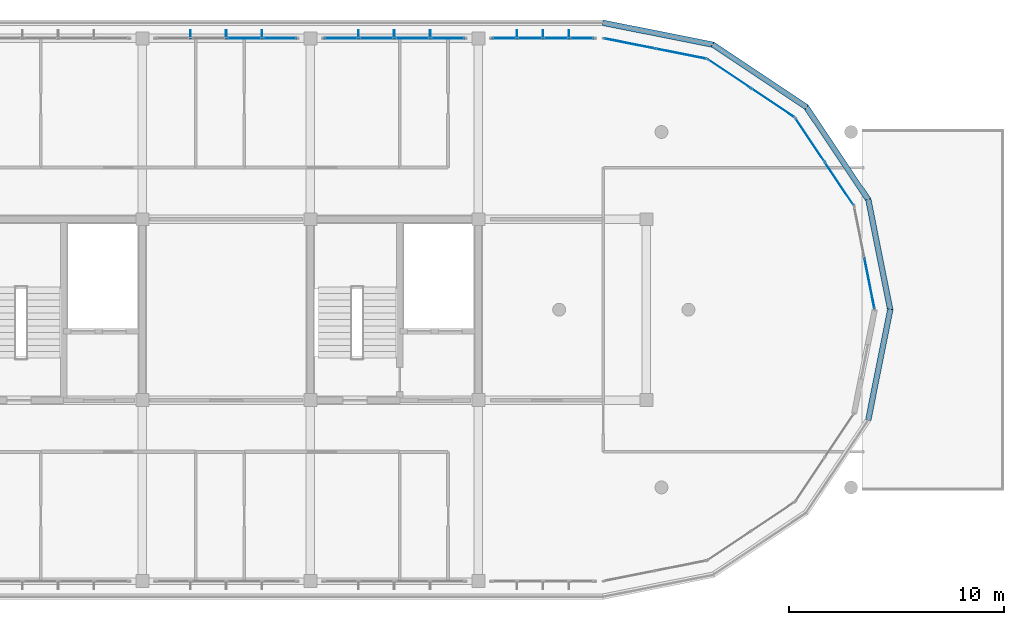
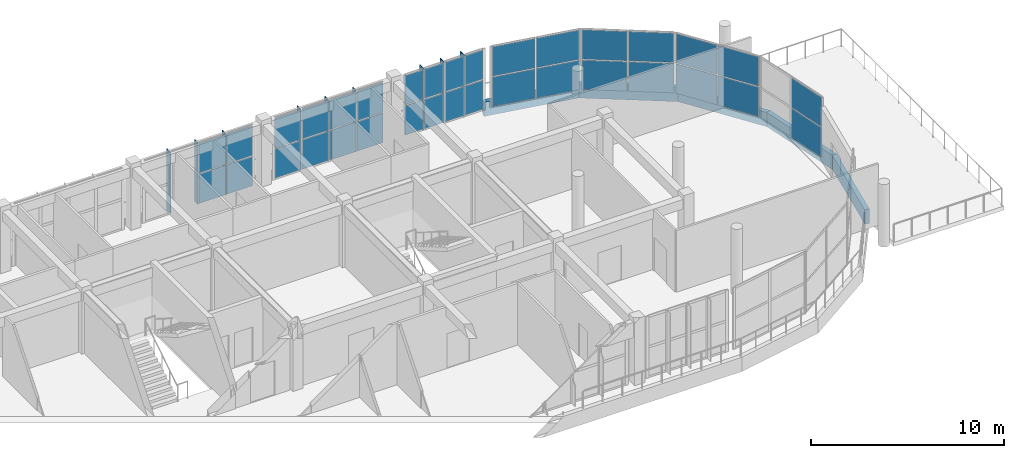
# One storey, part 40 of 50: 48 plates, 7 elements without a shape of their own.
"""IFC4 building model written with IfcOpenShell, lengths in metres."""

from ifc_helpers import new_model, si_unit, direction, frame, origin, origin_2d, place, context, subcontext, project, spatial, polyline, rectangle, outline, extrude, material, layer, layer_set, type_object, element, aggregate, save


model = new_model("IFC4")

# Units and contexts
model_context = context("Model", 3, precision=1e-05, world=origin(), true_north=direction((0.0, 1.0)))
body_context = subcontext(model_context, "Body", "Model", "MODEL_VIEW")
ifc_project = project(units=[si_unit("LENGTHUNIT", "METRE"), si_unit("AREAUNIT", "SQUARE_METRE"), si_unit("VOLUMEUNIT", "CUBIC_METRE"), si_unit("PLANEANGLEUNIT", "RADIAN"), si_unit("MASSUNIT", "GRAM", prefix="KILO")], contexts=[model_context])

# Site, building, storey
site_placement = place(None, origin())
site = spatial("IfcSite", under=ifc_project, at=site_placement, CompositionType="ELEMENT")
building_placement = place(site_placement, origin())
building = spatial("IfcBuilding", under=site, at=building_placement, Name="Zizhar Promenade General Hospital", CompositionType="ELEMENT")
storey_placement = place(building_placement, frame((0.0, 0.0, 30.60009765625)))
storey = spatial("IfcBuildingStorey", under=building, at=storey_placement, Name="L07", CompositionType="ELEMENT", Elevation=30.60009765625)

# Curtain wall, plates
ifc_material_1 = material(Name="Anodised aluminium 6063-T6 and low-E glass", Category="aluminium")
ifc_layer_1 = layer(ifc_material_1, 0.159912109375)
ifc_layer_set_1 = layer_set([ifc_layer_1], Name="Anodised aluminium 6063-T6 and low-E glass")
curtain_wall_type_1 = type_object("IfcCurtainWallType", Name="CW-WARD-ARC", PredefinedType="NOTDEFINED", material=ifc_layer_set_1)
curtain_wall_1_placement = place(storey_placement, origin())
curtain_wall_1 = element("IfcCurtainWall", 1, at=curtain_wall_1_placement, inside=storey, type_object=curtain_wall_type_1, Name="Ward Semicircular End Glazing L07-05", PredefinedType="NOTDEFINED")
ifc_material_2 = material(Name="Low-E solar-control glass", Category="glass")
ifc_layer_2 = layer(ifc_material_2, 0.031982421875)
ifc_layer_set_2 = layer_set([ifc_layer_2], Name="Low-E solar-control glass")
plate_type_1 = type_object("IfcPlateType", Name="CWP-GLZ-32", PredefinedType="CURTAIN_PANEL", material=ifc_layer_set_2)
plate_1_placement = place(storey_placement, frame((119.557373046875, 13.820068359375, 0.06005859375), z_axis=(0.0, 0.0, 1.0), x_axis=(0.195087259275, -0.980785889615, 0.0)))
plate_1 = element("IfcPlate", 2, at=plate_1_placement, type_object=plate_type_1, Name="CW-12 panel 2.1", PredefinedType="CURTAIN_PANEL", context=body_context, shape_type="SweptSolid", body=[
    extrude(rectangle(XDim=2.3681640625, YDim=0.031982421875, at=origin_2d()), origin(), (0.0, 0.0, 1.0), 1.860107421875),
])
plate_2_placement = place(storey_placement, frame((119.557373046875, 13.820068359375, 1.97998046875), z_axis=(0.0, 0.0, 1.0), x_axis=(0.195087259275, -0.980785889615, 0.0)))
plate_2 = element("IfcPlate", 3, at=plate_2_placement, type_object=plate_type_1, Name="CW-12 panel 2.2", PredefinedType="CURTAIN_PANEL", context=body_context, shape_type="SweptSolid", body=[
    extrude(rectangle(XDim=2.3681640625, YDim=0.031982421875, at=origin_2d()), origin(), (0.0, 0.0, 1.0), 1.860107421875),
])
aggregate(curtain_wall_1, [plate_1, plate_2])

curtain_wall_2_placement = place(storey_placement, origin())
curtain_wall_2 = element("IfcCurtainWall", 4, at=curtain_wall_2_placement, inside=storey, type_object=curtain_wall_type_1, Name="Ward Semicircular End Glazing L07-06", PredefinedType="NOTDEFINED")
plate_3_placement = place(storey_placement, frame((116.80078125, 20.47509765625, 0.06005859375), z_axis=(0.0, 0.0, 1.0), x_axis=(0.555582352095, -0.831461514468, 0.0)))
plate_3 = element("IfcPlate", 5, at=plate_3_placement, type_object=plate_type_1, Name="CW-12 panel 1.1", PredefinedType="CURTAIN_PANEL", context=body_context, shape_type="SweptSolid", body=[
    extrude(rectangle(XDim=2.3681640625, YDim=0.031982421875, at=origin_2d()), origin(), (0.0, 0.0, 1.0), 1.860107421875),
])
plate_4_placement = place(storey_placement, frame((116.80078125, 20.47509765625, 1.97998046875), z_axis=(0.0, 0.0, 1.0), x_axis=(0.555582352095, -0.831461514468, 0.0)))
plate_4 = element("IfcPlate", 6, at=plate_4_placement, type_object=plate_type_1, Name="CW-12 panel 1.2", PredefinedType="CURTAIN_PANEL", context=body_context, shape_type="SweptSolid", body=[
    extrude(rectangle(XDim=2.3681640625, YDim=0.031982421875, at=origin_2d()), origin(), (0.0, 0.0, 1.0), 1.860107421875),
])
plate_5_placement = place(storey_placement, frame((118.149658203125, 18.456298828125, 0.06005859375), z_axis=(0.0, 0.0, 1.0), x_axis=(0.555582352095, -0.831461514468, 0.0)))
plate_5 = element("IfcPlate", 7, at=plate_5_placement, type_object=plate_type_1, Name="CW-12 panel 2.1", PredefinedType="CURTAIN_PANEL", context=body_context, shape_type="SweptSolid", body=[
    extrude(rectangle(XDim=2.3681640625, YDim=0.031982421875, at=origin_2d()), origin(), (0.0, 0.0, 1.0), 1.860107421875),
])
plate_6_placement = place(storey_placement, frame((118.149658203125, 18.456298828125, 1.97998046875), z_axis=(0.0, 0.0, 1.0), x_axis=(0.555582352095, -0.831461514468, 0.0)))
plate_6 = element("IfcPlate", 8, at=plate_6_placement, type_object=plate_type_1, Name="CW-12 panel 2.2", PredefinedType="CURTAIN_PANEL", context=body_context, shape_type="SweptSolid", body=[
    extrude(rectangle(XDim=2.3681640625, YDim=0.031982421875, at=origin_2d()), origin(), (0.0, 0.0, 1.0), 1.860107421875),
])
aggregate(curtain_wall_2, [plate_3, plate_4, plate_5, plate_6])

curtain_wall_3_placement = place(storey_placement, origin())
curtain_wall_3 = element("IfcCurtainWall", 9, at=curtain_wall_3_placement, inside=storey, type_object=curtain_wall_type_1, Name="Ward Semicircular End Glazing L07-07", PredefinedType="NOTDEFINED")
plate_7_placement = place(storey_placement, frame((113.05615234375, 23.5498046875, 0.06005859375), z_axis=(0.0, 0.0, 1.0), x_axis=(0.831461514468, -0.555582352095, 0.0)))
plate_7 = element("IfcPlate", 10, at=plate_7_placement, type_object=plate_type_1, Name="CW-12 panel 1.1", PredefinedType="CURTAIN_PANEL", context=body_context, shape_type="SweptSolid", body=[
    extrude(rectangle(XDim=2.3681640625, YDim=0.031982421875, at=origin_2d()), origin(), (0.0, 0.0, 1.0), 1.860107421875),
])
plate_8_placement = place(storey_placement, frame((113.05615234375, 23.5498046875, 1.97998046875), z_axis=(0.0, 0.0, 1.0), x_axis=(0.831461514468, -0.555582352095, 0.0)))
plate_8 = element("IfcPlate", 11, at=plate_8_placement, type_object=plate_type_1, Name="CW-12 panel 1.2", PredefinedType="CURTAIN_PANEL", context=body_context, shape_type="SweptSolid", body=[
    extrude(rectangle(XDim=2.3681640625, YDim=0.031982421875, at=origin_2d()), origin(), (0.0, 0.0, 1.0), 1.860107421875),
])
plate_9_placement = place(storey_placement, frame((115.0751953125, 22.20068359375, 0.06005859375), z_axis=(0.0, 0.0, 1.0), x_axis=(0.831461514468, -0.555582352095, 0.0)))
plate_9 = element("IfcPlate", 12, at=plate_9_placement, type_object=plate_type_1, Name="CW-12 panel 2.1", PredefinedType="CURTAIN_PANEL", context=body_context, shape_type="SweptSolid", body=[
    extrude(rectangle(XDim=2.3681640625, YDim=0.031982421875, at=origin_2d()), origin(), (0.0, 0.0, 1.0), 1.860107421875),
])
plate_10_placement = place(storey_placement, frame((115.0751953125, 22.20068359375, 1.97998046875), z_axis=(0.0, 0.0, 1.0), x_axis=(0.831461514468, -0.555582352095, 0.0)))
plate_10 = element("IfcPlate", 13, at=plate_10_placement, type_object=plate_type_1, Name="CW-12 panel 2.2", PredefinedType="CURTAIN_PANEL", context=body_context, shape_type="SweptSolid", body=[
    extrude(rectangle(XDim=2.3681640625, YDim=0.031982421875, at=origin_2d()), origin(), (0.0, 0.0, 1.0), 1.860107421875),
])
aggregate(curtain_wall_3, [plate_7, plate_8, plate_9, plate_10])

curtain_wall_4_placement = place(storey_placement, origin())
curtain_wall_4 = element("IfcCurtainWall", 14, at=curtain_wall_4_placement, inside=storey, type_object=curtain_wall_type_1, Name="Ward Semicircular End Glazing L07-08", PredefinedType="NOTDEFINED")
plate_11_placement = place(storey_placement, frame((108.420166015625, 24.957275390625, 0.06005859375), z_axis=(0.0, 0.0, 1.0), x_axis=(0.980785889615, -0.195087259275, 0.0)))
plate_11 = element("IfcPlate", 15, at=plate_11_placement, type_object=plate_type_1, Name="CW-12 panel 1.1", PredefinedType="CURTAIN_PANEL", context=body_context, shape_type="SweptSolid", body=[
    extrude(rectangle(XDim=2.3681640625, YDim=0.031982421875, at=origin_2d()), origin(), (0.0, 0.0, 1.0), 1.860107421875),
])
plate_12_placement = place(storey_placement, frame((108.420166015625, 24.957275390625, 1.97998046875), z_axis=(0.0, 0.0, 1.0), x_axis=(0.980785889615, -0.195087259275, 0.0)))
plate_12 = element("IfcPlate", 16, at=plate_12_placement, type_object=plate_type_1, Name="CW-12 panel 1.2", PredefinedType="CURTAIN_PANEL", context=body_context, shape_type="SweptSolid", body=[
    extrude(rectangle(XDim=2.3681640625, YDim=0.031982421875, at=origin_2d()), origin(), (0.0, 0.0, 1.0), 1.860107421875),
])
plate_13_placement = place(storey_placement, frame((110.8017578125, 24.483642578125, 0.06005859375), z_axis=(0.0, 0.0, 1.0), x_axis=(0.980785889615, -0.195087259275, 0.0)))
plate_13 = element("IfcPlate", 17, at=plate_13_placement, type_object=plate_type_1, Name="CW-12 panel 2.1", PredefinedType="CURTAIN_PANEL", context=body_context, shape_type="SweptSolid", body=[
    extrude(rectangle(XDim=2.3681640625, YDim=0.031982421875, at=origin_2d()), origin(), (0.0, 0.0, 1.0), 1.860107421875),
])
plate_14_placement = place(storey_placement, frame((110.8017578125, 24.483642578125, 1.97998046875), z_axis=(0.0, 0.0, 1.0), x_axis=(0.980785889615, -0.195087259275, 0.0)))
plate_14 = element("IfcPlate", 18, at=plate_14_placement, type_object=plate_type_1, Name="CW-12 panel 2.2", PredefinedType="CURTAIN_PANEL", context=body_context, shape_type="SweptSolid", body=[
    extrude(rectangle(XDim=2.3681640625, YDim=0.031982421875, at=origin_2d()), origin(), (0.0, 0.0, 1.0), 1.860107421875),
])
aggregate(curtain_wall_4, [plate_11, plate_12, plate_13, plate_14])

ifc_material_3 = material(Name="Anodised aluminium 6063-T6 and low-E glass", Category="aluminium")
ifc_layer_3 = layer(ifc_material_3, 0.159912109375)
ifc_layer_set_3 = layer_set([ifc_layer_3], Name="Anodised aluminium 6063-T6 and low-E glass")
curtain_wall_type_2 = type_object("IfcCurtainWallType", Name="CW-WARD-RIB", PredefinedType="NOTDEFINED", material=ifc_layer_set_3)
curtain_wall_5_placement = place(storey_placement, origin())
curtain_wall_5 = element("IfcCurtainWall", 19, at=curtain_wall_5_placement, inside=storey, type_object=curtain_wall_type_2, Name="Ward Ribbon Curtain Wall L07-8-6", PredefinedType="NOTDEFINED")
plate_15_placement = place(storey_placement, frame((90.530029296875, 25.199951171875, 0.06005859375), z_axis=(0.0, 0.0, 1.0), x_axis=(1.0, 0.0, 0.0)))
plate_15 = element("IfcPlate", 20, at=plate_15_placement, type_object=plate_type_1, Name="CW-13 panel 3.1", PredefinedType="CURTAIN_PANEL", context=body_context, shape_type="SweptSolid", body=[
    extrude(rectangle(XDim=1.580078125, YDim=0.031982421875, at=origin_2d()), origin(), (0.0, 0.0, 1.0), 1.860107421875),
])
plate_16_placement = place(storey_placement, frame((90.530029296875, 25.199951171875, 1.97998046875), z_axis=(0.0, 0.0, 1.0), x_axis=(1.0, 0.0, 0.0)))
plate_16 = element("IfcPlate", 21, at=plate_16_placement, type_object=plate_type_1, Name="CW-13 panel 3.2", PredefinedType="CURTAIN_PANEL", context=body_context, shape_type="SweptSolid", body=[
    extrude(rectangle(XDim=1.580078125, YDim=0.031982421875, at=origin_2d()), origin(), (0.0, 0.0, 1.0), 1.860107421875),
])
plate_17_placement = place(storey_placement, frame((92.169921875, 25.199951171875, 0.06005859375), z_axis=(0.0, 0.0, 1.0), x_axis=(1.0, 0.0, 0.0)))
plate_17 = element("IfcPlate", 22, at=plate_17_placement, type_object=plate_type_1, Name="CW-13 panel 4.1", PredefinedType="CURTAIN_PANEL", context=body_context, shape_type="SweptSolid", body=[
    extrude(rectangle(XDim=1.5400390625, YDim=0.031982421875, at=origin_2d()), origin(), (0.0, 0.0, 1.0), 1.860107421875),
])
plate_18_placement = place(storey_placement, frame((92.169921875, 25.199951171875, 1.97998046875), z_axis=(0.0, 0.0, 1.0), x_axis=(1.0, 0.0, 0.0)))
plate_18 = element("IfcPlate", 23, at=plate_18_placement, type_object=plate_type_1, Name="CW-13 panel 4.2", PredefinedType="CURTAIN_PANEL", context=body_context, shape_type="SweptSolid", body=[
    extrude(rectangle(XDim=1.5400390625, YDim=0.031982421875, at=origin_2d()), origin(), (0.0, 0.0, 1.0), 1.860107421875),
])
aggregate(curtain_wall_5, [plate_15, plate_16, plate_17, plate_18])

curtain_wall_6_placement = place(storey_placement, origin())
curtain_wall_6 = element("IfcCurtainWall", 24, at=curtain_wall_6_placement, inside=storey, type_object=curtain_wall_type_2, Name="Ward Ribbon Curtain Wall L07-8-7", PredefinedType="NOTDEFINED")
plate_19_placement = place(storey_placement, frame((95.030029296875, 25.199951171875, 0.06005859375), z_axis=(0.0, 0.0, 1.0), x_axis=(1.0, 0.0, 0.0)))
plate_19 = element("IfcPlate", 25, at=plate_19_placement, type_object=plate_type_1, Name="CW-13 panel 1.1", PredefinedType="CURTAIN_PANEL", context=body_context, shape_type="SweptSolid", body=[
    extrude(rectangle(XDim=1.5400390625, YDim=0.031982421875, at=origin_2d()), origin(), (0.0, 0.0, 1.0), 1.860107421875),
])
plate_20_placement = place(storey_placement, frame((95.030029296875, 25.199951171875, 1.97998046875), z_axis=(0.0, 0.0, 1.0), x_axis=(1.0, 0.0, 0.0)))
plate_20 = element("IfcPlate", 26, at=plate_20_placement, type_object=plate_type_1, Name="CW-13 panel 1.2", PredefinedType="CURTAIN_PANEL", context=body_context, shape_type="SweptSolid", body=[
    extrude(rectangle(XDim=1.5400390625, YDim=0.031982421875, at=origin_2d()), origin(), (0.0, 0.0, 1.0), 1.860107421875),
])
plate_21_placement = place(storey_placement, frame((96.669921875, 25.199951171875, 0.06005859375), z_axis=(0.0, 0.0, 1.0), x_axis=(1.0, 0.0, 0.0)))
plate_21 = element("IfcPlate", 27, at=plate_21_placement, type_object=plate_type_1, Name="CW-13 panel 2.1", PredefinedType="CURTAIN_PANEL", context=body_context, shape_type="SweptSolid", body=[
    extrude(rectangle(XDim=1.580078125, YDim=0.031982421875, at=origin_2d()), origin(), (0.0, 0.0, 1.0), 1.860107421875),
])
plate_22_placement = place(storey_placement, frame((96.669921875, 25.199951171875, 1.97998046875), z_axis=(0.0, 0.0, 1.0), x_axis=(1.0, 0.0, 0.0)))
plate_22 = element("IfcPlate", 28, at=plate_22_placement, type_object=plate_type_1, Name="CW-13 panel 2.2", PredefinedType="CURTAIN_PANEL", context=body_context, shape_type="SweptSolid", body=[
    extrude(rectangle(XDim=1.580078125, YDim=0.031982421875, at=origin_2d()), origin(), (0.0, 0.0, 1.0), 1.860107421875),
])
plate_23_placement = place(storey_placement, frame((98.330078125, 25.199951171875, 0.06005859375), z_axis=(0.0, 0.0, 1.0), x_axis=(1.0, 0.0, 0.0)))
plate_23 = element("IfcPlate", 29, at=plate_23_placement, type_object=plate_type_1, Name="CW-13 panel 3.1", PredefinedType="CURTAIN_PANEL", context=body_context, shape_type="SweptSolid", body=[
    extrude(rectangle(XDim=1.580078125, YDim=0.031982421875, at=origin_2d()), origin(), (0.0, 0.0, 1.0), 1.860107421875),
])
plate_24_placement = place(storey_placement, frame((98.330078125, 25.199951171875, 1.97998046875), z_axis=(0.0, 0.0, 1.0), x_axis=(1.0, 0.0, 0.0)))
plate_24 = element("IfcPlate", 30, at=plate_24_placement, type_object=plate_type_1, Name="CW-13 panel 3.2", PredefinedType="CURTAIN_PANEL", context=body_context, shape_type="SweptSolid", body=[
    extrude(rectangle(XDim=1.580078125, YDim=0.031982421875, at=origin_2d()), origin(), (0.0, 0.0, 1.0), 1.860107421875),
])
plate_25_placement = place(storey_placement, frame((99.969970703125, 25.199951171875, 0.06005859375), z_axis=(0.0, 0.0, 1.0), x_axis=(1.0, 0.0, 0.0)))
plate_25 = element("IfcPlate", 31, at=plate_25_placement, type_object=plate_type_1, Name="CW-13 panel 4.1", PredefinedType="CURTAIN_PANEL", context=body_context, shape_type="SweptSolid", body=[
    extrude(rectangle(XDim=1.5400390625, YDim=0.031982421875, at=origin_2d()), origin(), (0.0, 0.0, 1.0), 1.860107421875),
])
plate_26_placement = place(storey_placement, frame((99.969970703125, 25.199951171875, 1.97998046875), z_axis=(0.0, 0.0, 1.0), x_axis=(1.0, 0.0, 0.0)))
plate_26 = element("IfcPlate", 32, at=plate_26_placement, type_object=plate_type_1, Name="CW-13 panel 4.2", PredefinedType="CURTAIN_PANEL", context=body_context, shape_type="SweptSolid", body=[
    extrude(rectangle(XDim=1.5400390625, YDim=0.031982421875, at=origin_2d()), origin(), (0.0, 0.0, 1.0), 1.860107421875),
])
aggregate(curtain_wall_6, [plate_19, plate_20, plate_21, plate_22, plate_23, plate_24, plate_25, plate_26])

curtain_wall_7_placement = place(storey_placement, origin())
curtain_wall_7 = element("IfcCurtainWall", 33, at=curtain_wall_7_placement, inside=storey, type_object=curtain_wall_type_2, Name="Ward Ribbon Curtain Wall L07-8-8", PredefinedType="NOTDEFINED")
plate_27_placement = place(storey_placement, frame((102.60498046875, 25.199951171875, 0.06005859375), z_axis=(0.0, 0.0, 1.0), x_axis=(1.0, 0.0, 0.0)))
plate_27 = element("IfcPlate", 34, at=plate_27_placement, type_object=plate_type_1, Name="CW-13 panel 1.1", PredefinedType="CURTAIN_PANEL", context=body_context, shape_type="SweptSolid", body=[
    extrude(rectangle(XDim=1.090087890625, YDim=0.031982421875, at=origin_2d()), origin(), (0.0, 0.0, 1.0), 1.860107421875),
])
plate_28_placement = place(storey_placement, frame((102.60498046875, 25.199951171875, 1.97998046875), z_axis=(0.0, 0.0, 1.0), x_axis=(1.0, 0.0, 0.0)))
plate_28 = element("IfcPlate", 35, at=plate_28_placement, type_object=plate_type_1, Name="CW-13 panel 1.2", PredefinedType="CURTAIN_PANEL", context=body_context, shape_type="SweptSolid", body=[
    extrude(rectangle(XDim=1.090087890625, YDim=0.031982421875, at=origin_2d()), origin(), (0.0, 0.0, 1.0), 1.860107421875),
])
plate_29_placement = place(storey_placement, frame((103.794921875, 25.199951171875, 0.06005859375), z_axis=(0.0, 0.0, 1.0), x_axis=(1.0, 0.0, 0.0)))
plate_29 = element("IfcPlate", 36, at=plate_29_placement, type_object=plate_type_1, Name="CW-13 panel 2.1", PredefinedType="CURTAIN_PANEL", context=body_context, shape_type="SweptSolid", body=[
    extrude(rectangle(XDim=1.1298828125, YDim=0.031982421875, at=origin_2d()), origin(), (0.0, 0.0, 1.0), 1.860107421875),
])
plate_30_placement = place(storey_placement, frame((103.794921875, 25.199951171875, 1.97998046875), z_axis=(0.0, 0.0, 1.0), x_axis=(1.0, 0.0, 0.0)))
plate_30 = element("IfcPlate", 37, at=plate_30_placement, type_object=plate_type_1, Name="CW-13 panel 2.2", PredefinedType="CURTAIN_PANEL", context=body_context, shape_type="SweptSolid", body=[
    extrude(rectangle(XDim=1.1298828125, YDim=0.031982421875, at=origin_2d()), origin(), (0.0, 0.0, 1.0), 1.860107421875),
])
plate_31_placement = place(storey_placement, frame((105.0048828125, 25.199951171875, 0.06005859375), z_axis=(0.0, 0.0, 1.0), x_axis=(1.0, 0.0, 0.0)))
plate_31 = element("IfcPlate", 38, at=plate_31_placement, type_object=plate_type_1, Name="CW-13 panel 3.1", PredefinedType="CURTAIN_PANEL", context=body_context, shape_type="SweptSolid", body=[
    extrude(rectangle(XDim=1.1298828125, YDim=0.031982421875, at=origin_2d()), origin(), (0.0, 0.0, 1.0), 1.860107421875),
])
plate_32_placement = place(storey_placement, frame((105.0048828125, 25.199951171875, 1.97998046875), z_axis=(0.0, 0.0, 1.0), x_axis=(1.0, 0.0, 0.0)))
plate_32 = element("IfcPlate", 39, at=plate_32_placement, type_object=plate_type_1, Name="CW-13 panel 3.2", PredefinedType="CURTAIN_PANEL", context=body_context, shape_type="SweptSolid", body=[
    extrude(rectangle(XDim=1.1298828125, YDim=0.031982421875, at=origin_2d()), origin(), (0.0, 0.0, 1.0), 1.860107421875),
])
plate_33_placement = place(storey_placement, frame((106.195068359375, 25.199951171875, 0.06005859375), z_axis=(0.0, 0.0, 1.0), x_axis=(1.0, 0.0, 0.0)))
plate_33 = element("IfcPlate", 40, at=plate_33_placement, type_object=plate_type_1, Name="CW-13 panel 4.1", PredefinedType="CURTAIN_PANEL", context=body_context, shape_type="SweptSolid", body=[
    extrude(rectangle(XDim=1.090087890625, YDim=0.031982421875, at=origin_2d()), origin(), (0.0, 0.0, 1.0), 1.860107421875),
])
plate_34_placement = place(storey_placement, frame((106.195068359375, 25.199951171875, 1.97998046875), z_axis=(0.0, 0.0, 1.0), x_axis=(1.0, 0.0, 0.0)))
plate_34 = element("IfcPlate", 41, at=plate_34_placement, type_object=plate_type_1, Name="CW-13 panel 4.2", PredefinedType="CURTAIN_PANEL", context=body_context, shape_type="SweptSolid", body=[
    extrude(rectangle(XDim=1.090087890625, YDim=0.031982421875, at=origin_2d()), origin(), (0.0, 0.0, 1.0), 1.860107421875),
])
aggregate(curtain_wall_7, [plate_27, plate_28, plate_29, plate_30, plate_31, plate_32, plate_33, plate_34])

# Plates
ifc_material_4 = material(Name="Anodised aluminium 6063-T6", Category="aluminium")
ifc_layer_4 = layer(ifc_material_4, 0.035888671875)
ifc_layer_set_4 = layer_set([ifc_layer_4], Name="Anodised aluminium 6063-T6")
plate_type_2 = type_object("IfcPlateType", Name="FIN-ALU-380", PredefinedType="USERDEFINED", material=ifc_layer_set_4)
plate_35_placement = place(storey_placement, origin())
element("IfcPlate", 42, at=plate_35_placement, inside=storey, type_object=plate_type_2, Name="Ward Ribbon Curtain Wall L07-8-6 Solar Fin 1", ObjectType="SOLAR_SHADE", PredefinedType="USERDEFINED", context=body_context, shape_type="SweptSolid", body=[
    extrude(outline(polyline([(88.02197265625, 25.199951171875), (88.05810546875, 25.199951171875), (88.05810546875, 25.580078125), (88.02197265625, 25.580078125), (88.02197265625, 25.199951171875)])), origin(), (0.0, 0.0, 1.0), 3.89990234375),
])
plate_36_placement = place(storey_placement, origin())
element("IfcPlate", 43, at=plate_36_placement, inside=storey, type_object=plate_type_2, Name="Ward Ribbon Curtain Wall L07-8-6 Solar Fin 2", ObjectType="SOLAR_SHADE", PredefinedType="USERDEFINED", context=body_context, shape_type="SweptSolid", body=[
    extrude(outline(polyline([(89.681884765625, 25.199951171875), (89.718017578125, 25.199951171875), (89.718017578125, 25.580078125), (89.681884765625, 25.580078125), (89.681884765625, 25.199951171875)])), origin(), (0.0, 0.0, 1.0), 3.89990234375),
])
plate_37_placement = place(storey_placement, origin())
element("IfcPlate", 44, at=plate_37_placement, inside=storey, type_object=plate_type_2, Name="Ward Ribbon Curtain Wall L07-8-6 Solar Fin 3", ObjectType="SOLAR_SHADE", PredefinedType="USERDEFINED", context=body_context, shape_type="SweptSolid", body=[
    extrude(outline(polyline([(91.342041015625, 25.199951171875), (91.3779296875, 25.199951171875), (91.3779296875, 25.580078125), (91.342041015625, 25.580078125), (91.342041015625, 25.199951171875)])), origin(), (0.0, 0.0, 1.0), 3.89990234375),
])
plate_38_placement = place(storey_placement, origin())
element("IfcPlate", 45, at=plate_38_placement, inside=storey, type_object=plate_type_2, Name="Ward Ribbon Curtain Wall L07-8-7 Solar Fin 1", ObjectType="SOLAR_SHADE", PredefinedType="USERDEFINED", context=body_context, shape_type="SweptSolid", body=[
    extrude(outline(polyline([(95.822021484375, 25.199951171875), (95.85791015625, 25.199951171875), (95.85791015625, 25.580078125), (95.822021484375, 25.580078125), (95.822021484375, 25.199951171875)])), origin(), (0.0, 0.0, 1.0), 3.89990234375),
])
plate_39_placement = place(storey_placement, origin())
element("IfcPlate", 46, at=plate_39_placement, inside=storey, type_object=plate_type_2, Name="Ward Ribbon Curtain Wall L07-8-7 Solar Fin 2", ObjectType="SOLAR_SHADE", PredefinedType="USERDEFINED", context=body_context, shape_type="SweptSolid", body=[
    extrude(outline(polyline([(97.48193359375, 25.199951171875), (97.51806640625, 25.199951171875), (97.51806640625, 25.580078125), (97.48193359375, 25.580078125), (97.48193359375, 25.199951171875)])), origin(), (0.0, 0.0, 1.0), 3.89990234375),
])
plate_40_placement = place(storey_placement, origin())
element("IfcPlate", 47, at=plate_40_placement, inside=storey, type_object=plate_type_2, Name="Ward Ribbon Curtain Wall L07-8-7 Solar Fin 3", ObjectType="SOLAR_SHADE", PredefinedType="USERDEFINED", context=body_context, shape_type="SweptSolid", body=[
    extrude(outline(polyline([(99.14208984375, 25.199951171875), (99.177978515625, 25.199951171875), (99.177978515625, 25.580078125), (99.14208984375, 25.580078125), (99.14208984375, 25.199951171875)])), origin(), (0.0, 0.0, 1.0), 3.89990234375),
])
plate_41_placement = place(storey_placement, origin())
element("IfcPlate", 48, at=plate_41_placement, inside=storey, type_object=plate_type_2, Name="Ward Ribbon Curtain Wall L07-8-8 Solar Fin 1", ObjectType="SOLAR_SHADE", PredefinedType="USERDEFINED", context=body_context, shape_type="SweptSolid", body=[
    extrude(outline(polyline([(103.172119140625, 25.199951171875), (103.2080078125, 25.199951171875), (103.2080078125, 25.580078125), (103.172119140625, 25.580078125), (103.172119140625, 25.199951171875)])), origin(), (0.0, 0.0, 1.0), 3.89990234375),
])
plate_42_placement = place(storey_placement, origin())
element("IfcPlate", 49, at=plate_42_placement, inside=storey, type_object=plate_type_2, Name="Ward Ribbon Curtain Wall L07-8-8 Solar Fin 2", ObjectType="SOLAR_SHADE", PredefinedType="USERDEFINED", context=body_context, shape_type="SweptSolid", body=[
    extrude(outline(polyline([(104.382080078125, 25.199951171875), (104.41796875, 25.199951171875), (104.41796875, 25.580078125), (104.382080078125, 25.580078125), (104.382080078125, 25.199951171875)])), origin(), (0.0, 0.0, 1.0), 3.89990234375),
])
plate_43_placement = place(storey_placement, origin())
element("IfcPlate", 50, at=plate_43_placement, inside=storey, type_object=plate_type_2, Name="Ward Ribbon Curtain Wall L07-8-8 Solar Fin 3", ObjectType="SOLAR_SHADE", PredefinedType="USERDEFINED", context=body_context, shape_type="SweptSolid", body=[
    extrude(outline(polyline([(105.592041015625, 25.199951171875), (105.6279296875, 25.199951171875), (105.6279296875, 25.580078125), (105.592041015625, 25.580078125), (105.592041015625, 25.199951171875)])), origin(), (0.0, 0.0, 1.0), 3.89990234375),
])
ifc_material_5 = material(Name="Precast concrete C40/50", Category="concrete")
ifc_layer_5 = layer(ifc_material_5, 0.260009765625)
ifc_layer_set_5 = layer_set([ifc_layer_5], Name="Precast concrete C40/50")
plate_type_3 = type_object("IfcPlateType", Name="PL-PC-BAND950", PredefinedType="USERDEFINED", material=ifc_layer_set_5)
plate_44_placement = place(storey_placement, frame((0.0, 0.0, -0.900146484375)))
element("IfcPlate", 51, at=plate_44_placement, inside=storey, type_object=plate_type_3, Name="Ward Precast Slab Band L07-04", ObjectType="FASCIA_BAND", PredefinedType="USERDEFINED", context=body_context, shape_type="SweptSolid", body=[
    extrude(outline(polyline([(119.626220703125, 7.452880859375), (120.64990234375, 12.60009765625), (120.39501953125, 12.650634765625), (119.37109375, 7.503662109375), (119.626220703125, 7.452880859375)])), origin(), (0.0, 0.0, 1.0), 0.900146484375),
])
plate_45_placement = place(storey_placement, frame((0.0, 0.0, -0.900146484375)))
element("IfcPlate", 52, at=plate_45_placement, inside=storey, type_object=plate_type_3, Name="Ward Precast Slab Band L07-05", ObjectType="FASCIA_BAND", PredefinedType="USERDEFINED", context=body_context, shape_type="SweptSolid", body=[
    extrude(outline(polyline([(120.64990234375, 12.60009765625), (119.626220703125, 17.7470703125), (119.37109375, 17.6962890625), (120.39501953125, 12.54931640625), (120.64990234375, 12.60009765625)])), origin(), (0.0, 0.0, 1.0), 0.900146484375),
])
plate_46_placement = place(storey_placement, frame((0.0, 0.0, -0.900146484375)))
element("IfcPlate", 53, at=plate_46_placement, inside=storey, type_object=plate_type_3, Name="Ward Precast Slab Band L07-06", ObjectType="FASCIA_BAND", PredefinedType="USERDEFINED", context=body_context, shape_type="SweptSolid", body=[
    extrude(outline(polyline([(119.626220703125, 17.7470703125), (116.710693359375, 22.110595703125), (116.494384765625, 21.96630859375), (119.409912109375, 17.602783203125), (119.626220703125, 17.7470703125)])), origin(), (0.0, 0.0, 1.0), 0.900146484375),
])
plate_47_placement = place(storey_placement, frame((0.0, 0.0, -0.900146484375)))
element("IfcPlate", 54, at=plate_47_placement, inside=storey, type_object=plate_type_3, Name="Ward Precast Slab Band L07-07", ObjectType="FASCIA_BAND", PredefinedType="USERDEFINED", context=body_context, shape_type="SweptSolid", body=[
    extrude(outline(polyline([(116.710693359375, 22.110595703125), (112.34716796875, 25.026123046875), (112.20263671875, 24.81005859375), (116.566162109375, 21.894287109375), (116.710693359375, 22.110595703125)])), origin(), (0.0, 0.0, 1.0), 0.900146484375),
])
plate_48_placement = place(storey_placement, frame((0.0, 0.0, -0.900146484375)))
element("IfcPlate", 55, at=plate_48_placement, inside=storey, type_object=plate_type_3, Name="Ward Precast Slab Band L07-08", ObjectType="FASCIA_BAND", PredefinedType="USERDEFINED", context=body_context, shape_type="SweptSolid", body=[
    extrude(outline(polyline([(112.34716796875, 25.026123046875), (107.199951171875, 26.050048828125), (107.1494140625, 25.794921875), (112.29638671875, 24.771240234375), (112.34716796875, 25.026123046875)])), origin(), (0.0, 0.0, 1.0), 0.900146484375),
])

save(model, "model.ifc")
